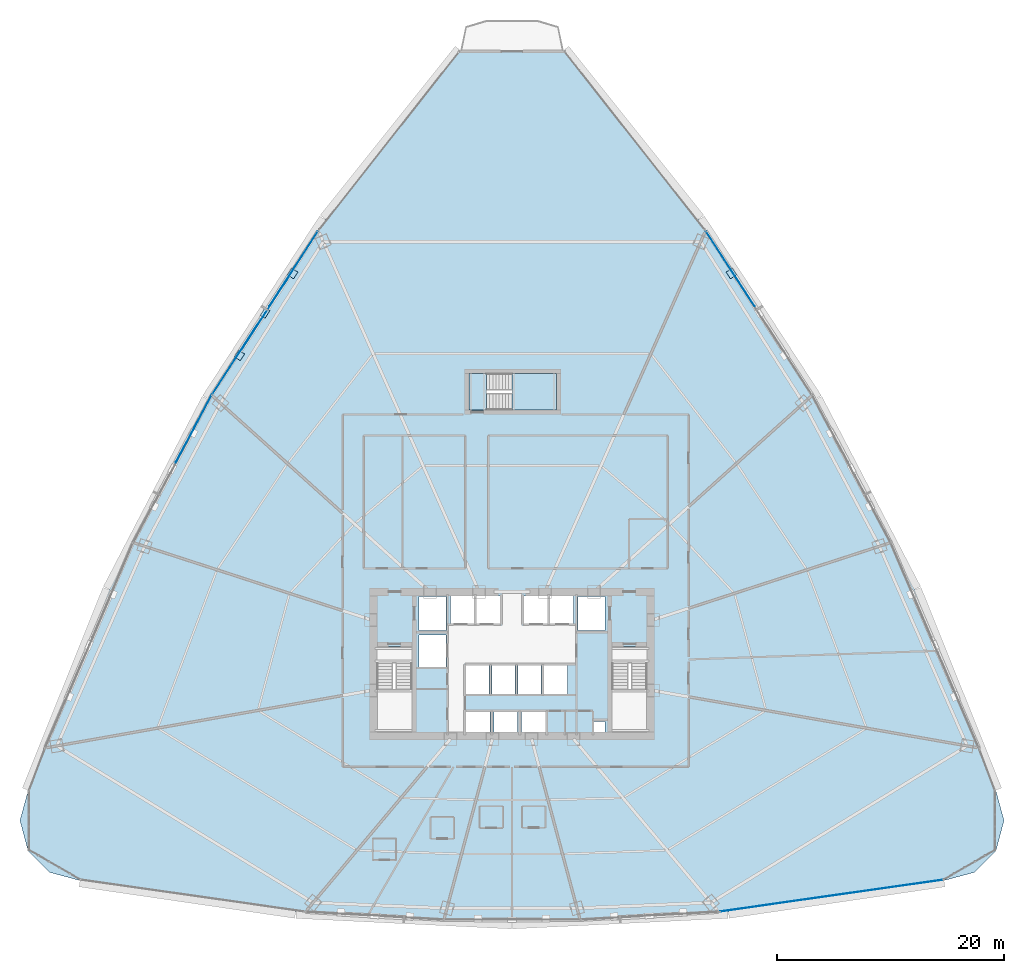
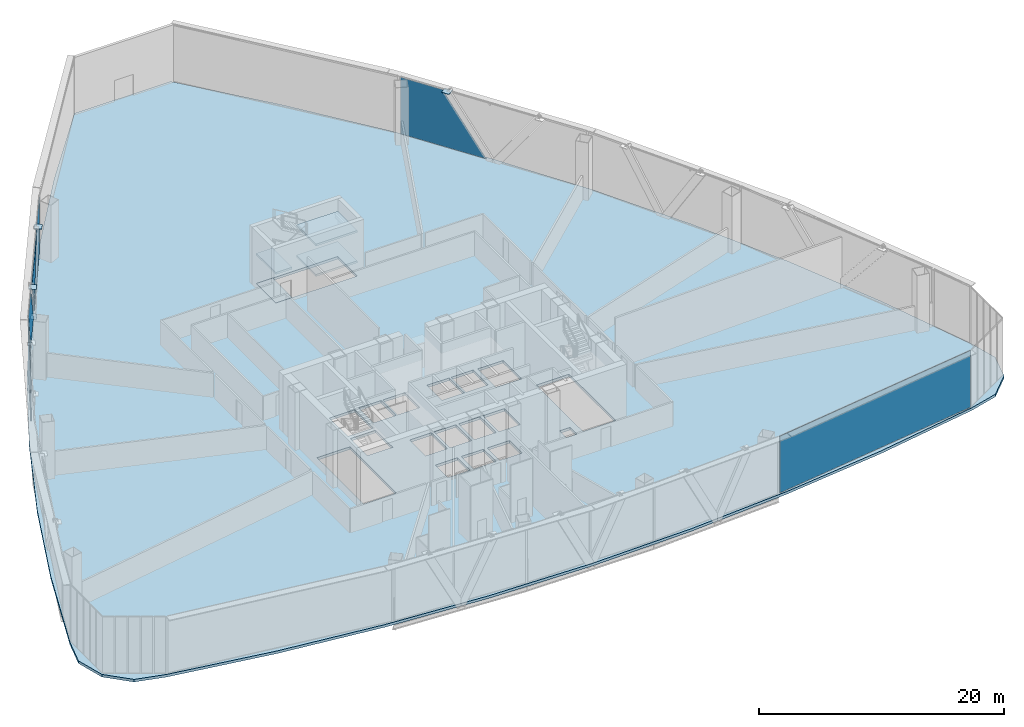
# One storey, part 30 of 41: 10 plates, 5 slabs, 5 elements without a shape of their own.
"""IFC4 building model written with IfcOpenShell, lengths in metres."""

from ifc_helpers import new_model, si_unit, direction, frame, origin, origin_2d, place, context, subcontext, project, spatial, polyline, rectangle, outline, extrude, source, transform, mapped, material, layer, layer_set, type_object, element, aggregate, save


model = new_model("IFC4")

# Units and contexts
model_context = context("Model", 3, precision=1e-05, world=origin(), true_north=direction((0.0, 1.0)))
body_context = subcontext(model_context, "Body", "Model", "MODEL_VIEW")
ifc_project = project(units=[si_unit("LENGTHUNIT", "METRE"), si_unit("AREAUNIT", "SQUARE_METRE"), si_unit("VOLUMEUNIT", "CUBIC_METRE"), si_unit("PLANEANGLEUNIT", "RADIAN"), si_unit("MASSUNIT", "GRAM", prefix="KILO"), si_unit("THERMODYNAMICTEMPERATUREUNIT", "KELVIN"), si_unit("POWERUNIT", "WATT")], contexts=[model_context])

# Site, building, storey
site_placement = place(None, origin())
site = spatial("IfcSite", under=ifc_project, at=site_placement, CompositionType="ELEMENT")
building_placement = place(site_placement, origin())
building = spatial("IfcBuilding", under=site, at=building_placement, Name="Yunzhuo Pagoda Commons", CompositionType="ELEMENT")
storey_placement = place(building_placement, frame((0.0, 0.0, 70.330078125)))
storey = spatial("IfcBuildingStorey", under=building, at=storey_placement, Name="L18", CompositionType="ELEMENT", Elevation=70.330078125)

# Curtain wall, plate
ifc_material_1 = material(Name="Anodized aluminium 6063-T6", Category="aluminium")
ifc_layer_1 = layer(ifc_material_1, 0.1650390625)
ifc_layer_set_1 = layer_set([ifc_layer_1], Name="Anodized aluminium 6063-T6")
curtain_wall_type = type_object("IfcCurtainWallType", Name="CW-LOW Low-Zone Ribbon Curtain Wall", PredefinedType="NOTDEFINED", material=ifc_layer_set_1)
curtain_wall_1_placement = place(storey_placement, origin())
curtain_wall_1 = element("IfcCurtainWall", 1, at=curtain_wall_1_placement, inside=storey, type_object=curtain_wall_type, Name="L18 curtain wall CW-L18-F2B4", PredefinedType="NOTDEFINED")
ifc_material_2 = material(Name="Tempered low-e double glazing", Category="glass")
ifc_layer_2 = layer(ifc_material_2, 0.028076171875)
ifc_layer_set_2 = layer_set([ifc_layer_2], Name="Tempered low-e double glazing")
plate_type_1 = type_object("IfcPlateType", Name="CW-LOW-P Low-E Double Glazing 28", PredefinedType="CURTAIN_PANEL", material=ifc_layer_set_2)
plate_1_placement = place(storey_placement, frame((67.2021484375, 68.60693359375, 2.885009765625), z_axis=(0.838840312647, 0.54437756188, 0.0), x_axis=(-0.54437756188, 0.838840312647, 0.0)))
plate_1 = element("IfcPlate", 2, at=plate_1_placement, type_object=plate_type_1, Name="CW panel 1.1 lite 3", PredefinedType="CURTAIN_PANEL", context=body_context, shape_type="SweptSolid", body=[
    extrude(outline(polyline([(-3.93212890625, -2.824951171875), (3.93212890625, -2.824951171875), (3.93212890625, 2.824951171875), (0.10888671875, 2.824951171875), (-3.93212890625, -2.824951171875)])), origin(), (0.0, 0.0, 1.0), 0.028076171875),
])
aggregate(curtain_wall_1, [plate_1])

# Curtain wall, plates
curtain_wall_2_placement = place(storey_placement, origin())
curtain_wall_2 = element("IfcCurtainWall", 3, at=curtain_wall_2_placement, inside=storey, type_object=curtain_wall_type, Name="L18 curtain wall CW-L18-F3B2", PredefinedType="NOTDEFINED")
plate_2_placement = place(storey_placement, frame((28.7978515625, 68.60693359375, 2.885009765625), z_axis=(-0.838840312647, 0.54437756188, 0.0), x_axis=(-0.54437756188, -0.838840312647, 0.0)))
plate_2 = element("IfcPlate", 4, at=plate_2_placement, type_object=plate_type_1, Name="CW panel 1.1 lite 1", PredefinedType="CURTAIN_PANEL", context=body_context, shape_type="SweptSolid", body=[
    extrude(outline(polyline([(-3.93212890625, -2.824951171875), (3.93212890625, -2.824951171875), (-0.10888671875, 2.824951171875), (-3.93212890625, 2.824951171875), (-3.93212890625, -2.824951171875)])), origin(), (0.0, 0.0, 1.0), 0.028076171875),
])
plate_3_placement = place(storey_placement, frame((26.303466796875, 64.708251953125, 3.051513671875), z_axis=(-0.838840312647, 0.54437756188, 0.0), x_axis=(-0.54437756188, -0.838840312647, 0.0)))
plate_3 = element("IfcPlate", 5, at=plate_3_placement, type_object=plate_type_1, Name="CW panel 1.1 lite 2", PredefinedType="CURTAIN_PANEL", context=body_context, shape_type="SweptSolid", body=[
    extrude(outline(polyline([(-3.802734375, 2.658447265625), (0.0, -2.658447265625), (3.802734375, 2.658447265625), (-3.802734375, 2.658447265625)])), origin(), (0.0, 0.0, 1.0), 0.028076171875),
])
plate_4_placement = place(storey_placement, frame((23.7587890625, 60.84228515625, 2.885009765625), z_axis=(-0.838840312647, 0.54437756188, 0.0), x_axis=(-0.54437756188, -0.838840312647, 0.0)))
plate_4 = element("IfcPlate", 6, at=plate_4_placement, type_object=plate_type_1, Name="CW panel 1.1 lite 3", PredefinedType="CURTAIN_PANEL", context=body_context, shape_type="SweptSolid", body=[
    extrude(outline(polyline([(-3.93212890625, -2.824951171875), (3.93212890625, -2.824951171875), (3.93212890625, 2.824951171875), (0.10888671875, 2.824951171875), (-3.93212890625, -2.824951171875)])), origin(), (0.0, 0.0, 1.0), 0.028076171875),
])
aggregate(curtain_wall_2, [plate_2, plate_3, plate_4])

# Curtain wall, plate
curtain_wall_3_placement = place(storey_placement, origin())
curtain_wall_3 = element("IfcCurtainWall", 7, at=curtain_wall_3_placement, inside=storey, type_object=curtain_wall_type, Name="L18 curtain wall CW-L18-F3B3", PredefinedType="NOTDEFINED")
plate_5_placement = place(storey_placement, frame((19.9921875, 54.50244140625, 2.885009765625), z_axis=(-0.882636758547, 0.470055690808, 0.0), x_axis=(-0.470055690808, -0.882636758547, 0.0)))
plate_5 = element("IfcPlate", 8, at=plate_5_placement, type_object=plate_type_1, Name="CW panel 1.1 lite 1", PredefinedType="CURTAIN_PANEL", context=body_context, shape_type="SweptSolid", body=[
    extrude(outline(polyline([(-3.320068359375, -2.824951171875), (3.320068359375, -2.824951171875), (-0.120849609375, 2.824951171875), (-3.320068359375, 2.824951171875), (-3.320068359375, -2.824951171875)])), origin(), (0.0, 0.0, 1.0), 0.028076171875),
])
aggregate(curtain_wall_3, [plate_5])

# Stair, slabs
ifc_material_3 = material(Name="Concrete C40", Category="concrete")
stair_type = type_object("IfcStairType", Name="ST-C3 North Tower Smokeproof Stair ST3", PredefinedType="HALF_TURN_STAIR", material=ifc_material_3)
stair_placement = place(storey_placement, origin())
stair = element("IfcStair", 9, at=stair_placement, inside=storey, type_object=stair_type, Name="L18 North tower smokeproof stair ST3", PredefinedType="HALF_TURN_STAIR")
ifc_layer_3 = layer(ifc_material_3, 0.2041015625)
ifc_layer_set_3 = layer_set([ifc_layer_3], Name="Concrete C40")
slab_type_1 = type_object("IfcSlabType", Name="SL-LND5 North Landing Slab 204", PredefinedType="LANDING", material=ifc_layer_set_3)
slab_1_placement = place(storey_placement, frame((0.0, 0.0, 1.3125)))
slab_1 = element("IfcSlab", 10, at=slab_1_placement, type_object=slab_type_1, Name="ST3 landing 1", PredefinedType="LANDING", context=body_context, shape_type="SweptSolid", body=[
    extrude(outline(polyline([(47.989990234375, 56.199951171875), (51.89990234375, 56.199951171875), (51.89990234375, 59.39990234375), (47.989990234375, 59.39990234375), (47.989990234375, 56.199951171875)])), origin(), (0.0, 0.0, 1.0), 0.199951171875),
])
slab_2_placement = place(storey_placement, frame((0.0, 0.0, 2.824951171875)))
slab_2 = element("IfcSlab", 11, at=slab_2_placement, type_object=slab_type_1, Name="ST3 landing 2", PredefinedType="LANDING", context=body_context, shape_type="SweptSolid", body=[
    extrude(outline(polyline([(44.199951171875, 56.199951171875), (45.75, 56.199951171875), (45.75, 59.39990234375), (44.199951171875, 59.39990234375), (44.199951171875, 56.199951171875)])), origin(), (0.0, 0.0, 1.0), 0.199951171875),
])
slab_3_placement = place(storey_placement, frame((0.0, 0.0, 4.33740234375)))
slab_3 = element("IfcSlab", 12, at=slab_3_placement, type_object=slab_type_1, Name="ST3 landing 3", PredefinedType="LANDING", context=body_context, shape_type="SweptSolid", body=[
    extrude(outline(polyline([(47.989990234375, 56.199951171875), (51.89990234375, 56.199951171875), (51.89990234375, 59.39990234375), (47.989990234375, 59.39990234375), (47.989990234375, 56.199951171875)])), origin(), (0.0, 0.0, 1.0), 0.199951171875),
])
slab_4_placement = place(storey_placement, frame((0.0, 0.0, -0.2001953125)))
slab_4 = element("IfcSlab", 13, at=slab_4_placement, type_object=slab_type_1, Name="ST3 floor landing L18", PredefinedType="LANDING", context=body_context, shape_type="SweptSolid", body=[
    extrude(outline(polyline([(44.199951171875, 56.199951171875), (45.75, 56.199951171875), (45.75, 59.39990234375), (44.199951171875, 59.39990234375), (44.199951171875, 56.199951171875)])), origin(), (0.0, 0.0, 1.0), 0.2001953125),
])
aggregate(stair, [slab_1, slab_2, slab_3, slab_4])

# Slab
ifc_layer_4 = layer(ifc_material_3, 0.260009765625)
ifc_layer_set_4 = layer_set([ifc_layer_4], Name="Concrete C40")
slab_type_2 = type_object("IfcSlabType", Name="SL-TWR Typical Tower Floor Slab 260", PredefinedType="FLOOR", material=ifc_layer_set_4)
slab_5_placement = place(storey_placement, frame((0.0, 0.0, -0.260009765625)))
element("IfcSlab", 14, at=slab_5_placement, inside=storey, type_object=slab_type_2, Name="L18 structural floor slab", PredefinedType="FLOOR", context=body_context, shape_type="SweptSolid", body=[
    extrude(outline(polyline([(8.778564453125, 31.66943359375), (12.53369140625, 40.397216796875), (16.688720703125, 48.8916015625), (21.2431640625, 57.15283203125), (26.197265625, 65.180908203125), (31.55078125, 72.9755859375), (37.30419921875, 80.537109375), (43.45703125, 87.865234375), (52.54296875, 87.865234375), (58.69580078125, 80.537109375), (64.44921875, 72.9755859375), (69.802734375, 65.180908203125), (74.7568359375, 57.15283203125), (79.311279296875, 48.8916015625), (83.46630859375, 40.397216796875), (87.221435546875, 31.66943359375), (90.5771484375, 22.70849609375), (91.29443359375, 20.075439453125), (90.595947265625, 17.4375), (88.669921875, 15.50439453125), (86.0341796875, 14.79638671875), (76.525634765625, 13.177001953125), (67.01708984375, 12.020263671875), (57.508544921875, 11.326171875), (48.0, 11.0947265625), (38.491455078125, 11.326171875), (28.98291015625, 12.020263671875), (19.474365234375, 13.177001953125), (9.9658203125, 14.79638671875), (7.330078125, 15.50439453125), (5.404052734375, 17.4375), (4.70556640625, 20.075439453125), (5.4228515625, 22.70849609375), (8.778564453125, 31.66943359375)]), holes=[polyline([(46.050048828125, 27.60009765625), (46.050048828125, 29.64990234375), (43.949951171875, 29.64990234375), (43.949951171875, 27.60009765625), (46.050048828125, 27.60009765625)]), polyline([(48.5, 27.60009765625), (48.5, 29.64990234375), (46.39990234375, 29.64990234375), (46.39990234375, 27.60009765625), (48.5, 27.60009765625)]), polyline([(36.10009765625, 27.800048828125), (39.199951171875, 27.800048828125), (39.199951171875, 35.39990234375), (36.10009765625, 35.39990234375), (36.10009765625, 27.800048828125)]), polyline([(45.969970703125, 31.199951171875), (45.969970703125, 33.800048828125), (43.929931640625, 33.800048828125), (43.929931640625, 31.199951171875), (45.969970703125, 31.199951171875)]), polyline([(48.27001953125, 31.199951171875), (48.27001953125, 33.800048828125), (46.22998046875, 33.800048828125), (46.22998046875, 31.199951171875), (48.27001953125, 31.199951171875)]), polyline([(42.199951171875, 33.60009765625), (42.199951171875, 36.39990234375), (39.800048828125, 36.39990234375), (39.800048828125, 33.60009765625), (42.199951171875, 33.60009765625)]), polyline([(42.199951171875, 36.800048828125), (42.199951171875, 39.800048828125), (39.800048828125, 39.800048828125), (39.800048828125, 36.800048828125), (42.199951171875, 36.800048828125)]), polyline([(42.60009765625, 37.39990234375), (44.699951171875, 37.39990234375), (44.699951171875, 39.85009765625), (42.60009765625, 39.85009765625), (42.60009765625, 37.39990234375)]), polyline([(44.85009765625, 37.39990234375), (46.949951171875, 37.39990234375), (46.949951171875, 39.85009765625), (44.85009765625, 39.85009765625), (44.85009765625, 37.39990234375)]), polyline([(56.179931640625, 27.699951171875), (56.179931640625, 28.800048828125), (55.179931640625, 28.800048828125), (55.179931640625, 27.699951171875), (56.179931640625, 27.699951171875)]), polyline([(50.949951171875, 27.60009765625), (50.949951171875, 29.64990234375), (48.85009765625, 29.64990234375), (48.85009765625, 27.60009765625), (50.949951171875, 27.60009765625)]), polyline([(56.800048828125, 27.800048828125), (59.89990234375, 27.800048828125), (59.89990234375, 35.39990234375), (56.800048828125, 35.39990234375), (56.800048828125, 27.800048828125)]), polyline([(50.570068359375, 31.199951171875), (50.570068359375, 33.800048828125), (48.530029296875, 33.800048828125), (48.530029296875, 31.199951171875), (50.570068359375, 31.199951171875)]), polyline([(52.8701171875, 31.199951171875), (52.8701171875, 33.800048828125), (50.830078125, 33.800048828125), (50.830078125, 31.199951171875), (52.8701171875, 31.199951171875)]), polyline([(56.199951171875, 36.800048828125), (56.199951171875, 39.800048828125), (53.800048828125, 39.800048828125), (53.800048828125, 36.800048828125), (56.199951171875, 36.800048828125)]), polyline([(51.14990234375, 37.39990234375), (51.14990234375, 39.85009765625), (49.050048828125, 39.85009765625), (49.050048828125, 37.39990234375), (51.14990234375, 37.39990234375)]), polyline([(51.300048828125, 37.39990234375), (53.39990234375, 37.39990234375), (53.39990234375, 39.85009765625), (51.300048828125, 39.85009765625), (51.300048828125, 37.39990234375)]), polyline([(44.199951171875, 56.199951171875), (51.89990234375, 56.199951171875), (51.89990234375, 59.39990234375), (44.199951171875, 59.39990234375), (44.199951171875, 56.199951171875)])]), origin(), (0.0, 0.0, 1.0), 0.260009765625),
])

# Plates
ifc_material_4 = material(Name="Structural steel Q355B", Category="steel")
ifc_layer_5 = layer(ifc_material_4, 0.028076171875)
ifc_layer_set_5 = layer_set([ifc_layer_5], Name="Structural steel Q355B")
plate_type_2 = type_object("IfcPlateType", Name="SP-ND1 Lattice Node Cap Plate 800x500x28", PredefinedType="USERDEFINED", material=ifc_layer_set_5)
shared_shape_1 = source(origin(), body_context, "Body", "SweptSolid", [
    extrude(rectangle(XDim=0.800048828125, YDim=0.5, at=origin_2d()), origin(), (0.0, 0.0, 1.0), 0.028076171875),
])
plate_6_placement = place(storey_placement, frame((26.2666015625, 64.732177734375, -0.27392578125), z_axis=(0.0, 0.0, 1.0), x_axis=(-0.544375532013, -0.838841629955, 0.0)))
element("IfcPlate", 15, at=plate_6_placement, inside=storey, type_object=plate_type_2, Name="L18 diamond node plate F3.1A", ObjectType="STIFFENER_PLATE", PredefinedType="USERDEFINED", context=body_context, shape_type="MappedRepresentation", body=[
    mapped(shared_shape_1, transform((0.0, 0.0, 0.0), scale=1.0)),
])
shared_shape_2 = source(origin(), body_context, "Body", "SweptSolid", [
    extrude(rectangle(XDim=0.699951171875, YDim=0.63818359375, at=origin_2d()), origin(), (0.0, 0.0, 1.0), 0.035888671875),
])
plate_7_placement = place(storey_placement, frame((24.013916015625, 61.00634765625, 5.73193359375), z_axis=(0.0, 0.0, 1.0), x_axis=(-0.544375532013, -0.838841629955, 0.0)))
element("IfcPlate", 16, at=plate_7_placement, inside=storey, type_object=plate_type_2, Name="L18 setback lattice tie plate F3.1R", ObjectType="STIFFENER_PLATE", PredefinedType="USERDEFINED", context=body_context, shape_type="MappedRepresentation", body=[
    mapped(shared_shape_2, transform((0.0, 0.0, 0.0), scale=1.0)),
])
shared_shape_3 = source(origin(), body_context, "Body", "SweptSolid", [
    extrude(rectangle(XDim=0.699951171875, YDim=0.66259765625, at=origin_2d()), origin(), (0.0, 0.0, 1.0), 0.035888671875),
])
for number, where, z_axis, x_axis, name in (
    (17, (67.309326171875, 68.213623046875, 5.73193359375), (0.0, 0.0, 1.0), (-0.544375532013, 0.838841629955, 0.0), "L18 setback lattice tie plate F2.3R"),
    (18, (28.690673828125, 68.213623046875, 5.73193359375), (0.0, 0.0, 1.0), (-0.544375532013, -0.838841629955, 0.0), "L18 setback lattice tie plate F3.1L"),
):
    element("IfcPlate", number, at=place(storey_placement, frame(where, z_axis=z_axis, x_axis=x_axis)), inside=storey, type_object=plate_type_2, Name=name, ObjectType="STIFFENER_PLATE", PredefinedType="USERDEFINED", context=body_context, shape_type="MappedRepresentation", body=[
        mapped(shared_shape_3, transform((0.0, 0.0, 0.0), scale=1.0)),
    ])

# Curtain wall, plate
curtain_wall_4_placement = place(storey_placement, origin())
curtain_wall_4 = element("IfcCurtainWall", 19, at=curtain_wall_4_placement, inside=storey, type_object=curtain_wall_type, Name="L18 curtain wall CW-L18-F1B5", PredefinedType="NOTDEFINED")
shared_shape_4 = source(origin(), body_context, "Body", "SweptSolid", [
    extrude(rectangle(XDim=19.814697265625, YDim=0.028076171875, at=origin_2d()), origin(), (0.0, 0.0, 1.0), 5.64990234375),
])
plate_8_placement = place(storey_placement, frame((76.12158203125, 13.4580078125, 0.06005859375), z_axis=(0.0, 0.0, 1.0), x_axis=(0.989989664719, 0.141139872999, 0.0)))
plate_8 = element("IfcPlate", 20, at=plate_8_placement, type_object=plate_type_1, Name="CW panel 1.1", PredefinedType="CURTAIN_PANEL", context=body_context, shape_type="MappedRepresentation", body=[
    mapped(shared_shape_4, transform((0.0, 0.0, 0.0), scale=1.0)),
])
aggregate(curtain_wall_4, [plate_8])

save(model, "model.ifc")
